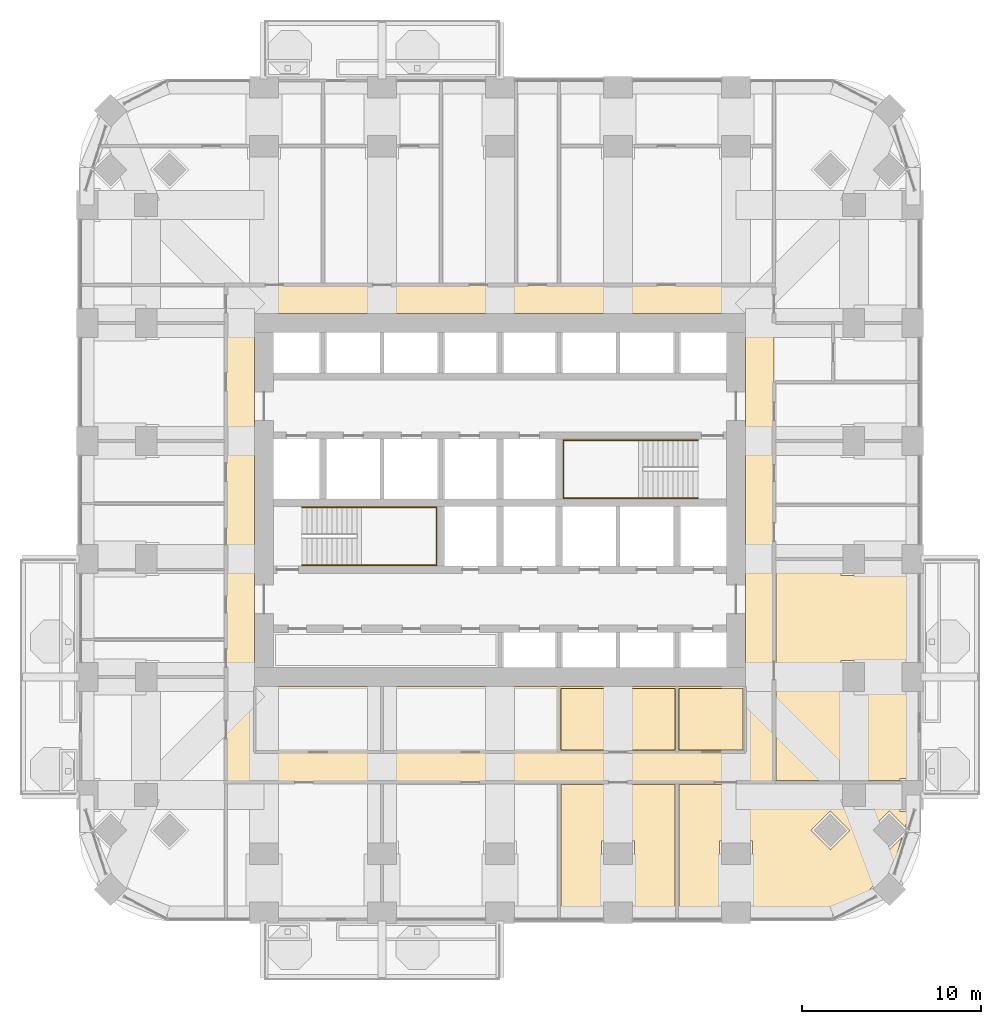
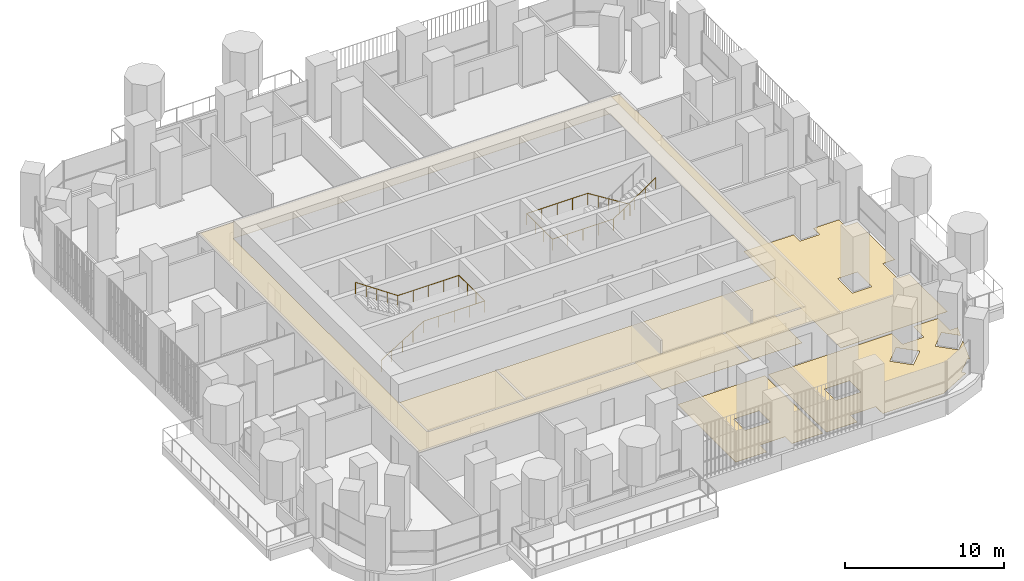
# One storey, part 18 of 21: 6 coverings, 2 railings.
"""IFC4 building model written with IfcOpenShell, lengths in metres."""

from ifc_helpers import new_model, si_unit, direction, frame, origin, place, context, subcontext, project, spatial, polyline, outline, extrude, material, layer, layer_set, type_object, element, save


model = new_model("IFC4")

# Units and contexts
model_context = context("Model", 3, precision=1e-05, world=origin(), true_north=direction((0.0, 1.0)))
body_context = subcontext(model_context, "Body", "Model", "MODEL_VIEW")
ifc_project = project(units=[si_unit("LENGTHUNIT", "METRE"), si_unit("AREAUNIT", "SQUARE_METRE"), si_unit("VOLUMEUNIT", "CUBIC_METRE"), si_unit("PLANEANGLEUNIT", "RADIAN"), si_unit("MASSUNIT", "GRAM", prefix="KILO")], contexts=[model_context])

# Site, building, storey
site_placement = place(None, origin())
site = spatial("IfcSite", under=ifc_project, at=site_placement, CompositionType="ELEMENT")
building_placement = place(site_placement, origin())
building = spatial("IfcBuilding", under=site, at=building_placement, Name="Cobogo Forest Laboratory Tower", CompositionType="ELEMENT")
storey_placement = place(building_placement, frame((0.0, 0.0, 141.0)))
storey = spatial("IfcBuildingStorey", under=building, at=storey_placement, Name="L32", CompositionType="ELEMENT", Elevation=141.0)

# Coverings
ifc_material_1 = material(Name="Mineral fibre ceiling tile", Category="ceiling")
ifc_layer_1 = layer(ifc_material_1, 0.02001953125)
ifc_layer_set_1 = layer_set([ifc_layer_1], Name="CL1 suspended ceiling")
covering_type_1 = type_object("IfcCoveringType", Name="CL1 suspended ceiling", PredefinedType="CEILING", material=ifc_layer_set_1)
covering_1_placement = place(storey_placement, frame((0.0, 0.0, 2.800048828125)))
element("IfcCovering", 1, at=covering_1_placement, inside=storey, type_object=covering_type_1, Name="Corridor ceiling L32", PredefinedType="CEILING", context=body_context, shape_type="SweptSolid", body=[
    extrude(outline(polyline([(11.074951171875, 7.300048828125), (11.074951171875, 35.125), (41.72509765625, 35.125), (41.72509765625, 7.300048828125), (11.074951171875, 7.300048828125)]), holes=[polyline([(40.125, 33.52490234375), (12.675048828125, 33.52490234375), (12.675048828125, 12.675048828125), (40.125, 12.675048828125), (40.125, 33.52490234375)])]), origin(), (0.0, 0.0, 1.0), 0.02001953125),
])
ifc_material_2 = material(Name="Carpet tile on raised access floor", Category="flooring")
ifc_layer_2 = layer(ifc_material_2, 0.008056640625)
ifc_layer_set_2 = layer_set([ifc_layer_2], Name="CT1 carpet tile floor 8")
covering_type_2 = type_object("IfcCoveringType", Name="CT1 carpet tile floor 8", PredefinedType="FLOORING", material=ifc_layer_set_2)
covering_2_placement = place(storey_placement, origin())
element("IfcCovering", 2, at=covering_2_placement, inside=storey, type_object=covering_type_2, Name="Carpet floor L32-09", PredefinedType="FLOORING", context=body_context, shape_type="SweptSolid", body=[
    extrude(outline(polyline([(41.844970703125, 19.679931640625), (45.47998046875, 19.679931640625), (45.47998046875, 18.8798828125), (46.919921875, 18.8798828125), (46.919921875, 19.679931640625), (48.780029296875, 19.679931640625), (48.780029296875, 18.8798828125), (49.64990234375, 18.8798828125), (49.64990234375, 14.1201171875), (48.780029296875, 14.1201171875), (48.780029296875, 12.280029296875), (49.64990234375, 12.280029296875), (49.64990234375, 7.52001953125), (48.780029296875, 7.52001953125), (48.780029296875, 7.419921875), (41.844970703125, 7.419921875), (41.844970703125, 19.679931640625)]), holes=[polyline([(45.47998046875, 12.280029296875), (46.919921875, 12.280029296875), (46.919921875, 14.1201171875), (45.47998046875, 14.1201171875), (45.47998046875, 12.280029296875)])]), origin(), (0.0, 0.0, 1.0), 0.008056640625),
])

# Railings
ifc_material_3 = material(Name="Stainless steel handrail", Category="steel")
railing_type = type_object("IfcRailingType", Name="HR handrail 900", PredefinedType="HANDRAIL", material=ifc_material_3)
railing_1_placement = place(storey_placement, frame((15.324951171875, 19.449951171875, 0.175048828125)))
element("IfcRailing", 3, at=railing_1_placement, inside=storey, type_object=railing_type, Name="Stair handrail ST1 L32", PredefinedType="HANDRAIL", context=body_context, shape_type="SweptSolid", body=[
    extrude(outline(polyline([(0.022216796875, 0.00927734375), (0.00927734375, 0.022216796875), (-0.00927734375, 0.022216796875), (-0.022216796875, 0.00927734375), (-0.022216796875, -0.00927734375), (-0.00927734375, -0.022216796875), (0.00927734375, -0.022216796875), (0.022216796875, -0.00927734375), (0.022216796875, 0.00927734375)])), frame((0.0, 0.0, 0.877685546875), z_axis=(0.847998304005, 0.0, 0.529998940003), x_axis=(0.0, 1.0, 0.0)), (0.0, 0.0, 1.0), 3.632080078125),
    extrude(outline(polyline([(0.022216796875, 0.00927734375), (0.00927734375, 0.022216796875), (-0.00927734375, 0.022216796875), (-0.022216796875, 0.00927734375), (-0.022216796875, -0.00927734375), (-0.00927734375, -0.022216796875), (0.00927734375, -0.022216796875), (0.022216796875, -0.00927734375), (0.022216796875, 0.00927734375)])), frame((3.080078125, 0.0, 2.802734375), z_axis=(1.0, 0.0, 0.0), x_axis=(0.0, 1.0, 0.0)), (0.0, 0.0, 1.0), 4.445068359375),
    extrude(outline(polyline([(0.022216796875, 0.00927734375), (0.00927734375, 0.022216796875), (-0.00927734375, 0.022216796875), (-0.022216796875, 0.00927734375), (-0.022216796875, -0.00927734375), (-0.00927734375, -0.022216796875), (0.00927734375, -0.022216796875), (0.022216796875, -0.00927734375), (0.022216796875, 0.00927734375)])), frame((7.525146484375, 0.0, 2.802734375), z_axis=(0.0, 1.0, 0.0), x_axis=(-1.0, 0.0, 0.0)), (0.0, 0.0, 1.0), 3.25),
    extrude(outline(polyline([(0.022216796875, 0.00927734375), (0.00927734375, 0.022216796875), (-0.00927734375, 0.022216796875), (-0.022216796875, 0.00927734375), (-0.022216796875, -0.00927734375), (-0.00927734375, -0.022216796875), (0.00927734375, -0.022216796875), (0.022216796875, -0.00927734375), (0.022216796875, 0.00927734375)])), frame((7.525146484375, 3.25, 2.802734375), z_axis=(-1.0, 0.0, 0.0), x_axis=(0.0, -1.0, 0.0)), (0.0, 0.0, 1.0), 4.445068359375),
    extrude(outline(polyline([(0.022216796875, 0.00927734375), (0.00927734375, 0.022216796875), (-0.00927734375, 0.022216796875), (-0.022216796875, 0.00927734375), (-0.022216796875, -0.00927734375), (-0.00927734375, -0.022216796875), (0.00927734375, -0.022216796875), (0.022216796875, -0.00927734375), (0.022216796875, 0.00927734375)])), frame((3.080078125, 3.25, 2.802734375), z_axis=(-0.826252282691, 0.0, 0.563300244406), x_axis=(0.0, -1.0, 0.0)), (0.0, 0.0, 1.0), 3.727783203125),
    extrude(outline(polyline([(0.019287109375, 0.008056640625), (0.008056640625, 0.019287109375), (-0.008056640625, 0.019287109375), (-0.019287109375, 0.008056640625), (-0.019287109375, -0.008056640625), (-0.008056640625, -0.019287109375), (0.008056640625, -0.019287109375), (0.019287109375, -0.008056640625), (0.019287109375, 0.008056640625)])), origin(), (0.0, 0.0, 1.0), 0.877685546875),
    extrude(outline(polyline([(0.019287109375, 0.008056640625), (0.008056640625, 0.019287109375), (-0.008056640625, 0.019287109375), (-0.019287109375, 0.008056640625), (-0.019287109375, -0.008056640625), (-0.008056640625, -0.019287109375), (0.008056640625, -0.019287109375), (0.019287109375, -0.008056640625), (0.019287109375, 0.008056640625)])), frame((0.77001953125, 0.0, 0.481201171875)), (0.0, 0.0, 1.0), 0.877685546875),
    extrude(outline(polyline([(0.019287109375, 0.008056640625), (0.008056640625, 0.019287109375), (-0.008056640625, 0.019287109375), (-0.019287109375, 0.008056640625), (-0.019287109375, -0.008056640625), (-0.008056640625, -0.019287109375), (0.008056640625, -0.019287109375), (0.019287109375, -0.008056640625), (0.019287109375, 0.008056640625)])), frame((1.5400390625, 0.0, 0.96240234375)), (0.0, 0.0, 1.0), 0.877685546875),
    extrude(outline(polyline([(0.019287109375, 0.008056640625), (0.008056640625, 0.019287109375), (-0.008056640625, 0.019287109375), (-0.019287109375, 0.008056640625), (-0.019287109375, -0.008056640625), (-0.008056640625, -0.019287109375), (0.008056640625, -0.019287109375), (0.019287109375, -0.008056640625), (0.019287109375, 0.008056640625)])), frame((2.31005859375, 0.0, 1.44384765625)), (0.0, 0.0, 1.0), 0.877685546875),
    extrude(outline(polyline([(0.019287109375, 0.008056640625), (0.008056640625, 0.019287109375), (-0.008056640625, 0.019287109375), (-0.019287109375, 0.008056640625), (-0.019287109375, -0.008056640625), (-0.008056640625, -0.019287109375), (0.008056640625, -0.019287109375), (0.019287109375, -0.008056640625), (0.019287109375, 0.008056640625)])), frame((3.080078125, 0.0, 1.925048828125)), (0.0, 0.0, 1.0), 0.877685546875),
    extrude(outline(polyline([(0.019287109375, 0.008056640625), (0.008056640625, 0.019287109375), (-0.008056640625, 0.019287109375), (-0.019287109375, 0.008056640625), (-0.019287109375, -0.008056640625), (-0.008056640625, -0.019287109375), (0.008056640625, -0.019287109375), (0.019287109375, -0.008056640625), (0.019287109375, 0.008056640625)])), frame((4.19140625, 0.0, 1.925048828125)), (0.0, 0.0, 1.0), 0.877685546875),
    extrude(outline(polyline([(0.019287109375, 0.008056640625), (0.008056640625, 0.019287109375), (-0.008056640625, 0.019287109375), (-0.019287109375, 0.008056640625), (-0.019287109375, -0.008056640625), (-0.008056640625, -0.019287109375), (0.008056640625, -0.019287109375), (0.019287109375, -0.008056640625), (0.019287109375, 0.008056640625)])), frame((5.302734375, 0.0, 1.925048828125)), (0.0, 0.0, 1.0), 0.877685546875),
    extrude(outline(polyline([(0.019287109375, 0.008056640625), (0.008056640625, 0.019287109375), (-0.008056640625, 0.019287109375), (-0.019287109375, 0.008056640625), (-0.019287109375, -0.008056640625), (-0.008056640625, -0.019287109375), (0.008056640625, -0.019287109375), (0.019287109375, -0.008056640625), (0.019287109375, 0.008056640625)])), frame((6.413818359375, 0.0, 1.925048828125)), (0.0, 0.0, 1.0), 0.877685546875),
    extrude(outline(polyline([(0.019287109375, 0.008056640625), (0.008056640625, 0.019287109375), (-0.008056640625, 0.019287109375), (-0.019287109375, 0.008056640625), (-0.019287109375, -0.008056640625), (-0.008056640625, -0.019287109375), (0.008056640625, -0.019287109375), (0.019287109375, -0.008056640625), (0.019287109375, 0.008056640625)])), frame((7.525146484375, 0.0, 1.925048828125)), (0.0, 0.0, 1.0), 0.877685546875),
    extrude(outline(polyline([(0.019287109375, 0.008056640625), (0.008056640625, 0.019287109375), (-0.008056640625, 0.019287109375), (-0.019287109375, 0.008056640625), (-0.019287109375, -0.008056640625), (-0.008056640625, -0.019287109375), (0.008056640625, -0.019287109375), (0.019287109375, -0.008056640625), (0.019287109375, 0.008056640625)])), frame((7.525146484375, 1.083251953125, 1.925048828125)), (0.0, 0.0, 1.0), 0.877685546875),
    extrude(outline(polyline([(0.019287109375, 0.008056640625), (0.008056640625, 0.019287109375), (-0.008056640625, 0.019287109375), (-0.019287109375, 0.008056640625), (-0.019287109375, -0.008056640625), (-0.008056640625, -0.019287109375), (0.008056640625, -0.019287109375), (0.019287109375, -0.008056640625), (0.019287109375, 0.008056640625)])), frame((7.525146484375, 2.166748046875, 1.925048828125)), (0.0, 0.0, 1.0), 0.877685546875),
    extrude(outline(polyline([(0.019287109375, 0.008056640625), (0.008056640625, 0.019287109375), (-0.008056640625, 0.019287109375), (-0.019287109375, 0.008056640625), (-0.019287109375, -0.008056640625), (-0.008056640625, -0.019287109375), (0.008056640625, -0.019287109375), (0.019287109375, -0.008056640625), (0.019287109375, 0.008056640625)])), frame((7.525146484375, 3.25, 1.925048828125)), (0.0, 0.0, 1.0), 0.877685546875),
    extrude(outline(polyline([(0.019287109375, 0.008056640625), (0.008056640625, 0.019287109375), (-0.008056640625, 0.019287109375), (-0.019287109375, 0.008056640625), (-0.019287109375, -0.008056640625), (-0.008056640625, -0.019287109375), (0.008056640625, -0.019287109375), (0.019287109375, -0.008056640625), (0.019287109375, 0.008056640625)])), frame((6.413818359375, 3.25, 1.925048828125)), (0.0, 0.0, 1.0), 0.877685546875),
    extrude(outline(polyline([(0.019287109375, 0.008056640625), (0.008056640625, 0.019287109375), (-0.008056640625, 0.019287109375), (-0.019287109375, 0.008056640625), (-0.019287109375, -0.008056640625), (-0.008056640625, -0.019287109375), (0.008056640625, -0.019287109375), (0.019287109375, -0.008056640625), (0.019287109375, 0.008056640625)])), frame((5.302734375, 3.25, 1.925048828125)), (0.0, 0.0, 1.0), 0.877685546875),
    extrude(outline(polyline([(0.019287109375, 0.008056640625), (0.008056640625, 0.019287109375), (-0.008056640625, 0.019287109375), (-0.019287109375, 0.008056640625), (-0.019287109375, -0.008056640625), (-0.008056640625, -0.019287109375), (0.008056640625, -0.019287109375), (0.019287109375, -0.008056640625), (0.019287109375, 0.008056640625)])), frame((4.19140625, 3.25, 1.925048828125)), (0.0, 0.0, 1.0), 0.877685546875),
    extrude(outline(polyline([(0.019287109375, 0.008056640625), (0.008056640625, 0.019287109375), (-0.008056640625, 0.019287109375), (-0.019287109375, 0.008056640625), (-0.019287109375, -0.008056640625), (-0.008056640625, -0.019287109375), (0.008056640625, -0.019287109375), (0.019287109375, -0.008056640625), (0.019287109375, 0.008056640625)])), frame((3.080078125, 3.25, 1.925048828125)), (0.0, 0.0, 1.0), 0.877685546875),
    extrude(outline(polyline([(0.019287109375, 0.008056640625), (0.008056640625, 0.019287109375), (-0.008056640625, 0.019287109375), (-0.019287109375, 0.008056640625), (-0.019287109375, -0.008056640625), (-0.008056640625, -0.019287109375), (0.008056640625, -0.019287109375), (0.019287109375, -0.008056640625), (0.019287109375, 0.008056640625)])), frame((2.31005859375, 3.25, 2.449951171875)), (0.0, 0.0, 1.0), 0.877685546875),
    extrude(outline(polyline([(0.019287109375, 0.008056640625), (0.008056640625, 0.019287109375), (-0.008056640625, 0.019287109375), (-0.019287109375, 0.008056640625), (-0.019287109375, -0.008056640625), (-0.008056640625, -0.019287109375), (0.008056640625, -0.019287109375), (0.019287109375, -0.008056640625), (0.019287109375, 0.008056640625)])), frame((1.5400390625, 3.25, 2.97509765625)), (0.0, 0.0, 1.0), 0.877685546875),
    extrude(outline(polyline([(0.019287109375, 0.008056640625), (0.008056640625, 0.019287109375), (-0.008056640625, 0.019287109375), (-0.019287109375, 0.008056640625), (-0.019287109375, -0.008056640625), (-0.008056640625, -0.019287109375), (0.008056640625, -0.019287109375), (0.019287109375, -0.008056640625), (0.019287109375, 0.008056640625)])), frame((0.77001953125, 3.25, 3.5)), (0.0, 0.0, 1.0), 0.877685546875),
    extrude(outline(polyline([(0.019287109375, 0.008056640625), (0.008056640625, 0.019287109375), (-0.008056640625, 0.019287109375), (-0.019287109375, 0.008056640625), (-0.019287109375, -0.008056640625), (-0.008056640625, -0.019287109375), (0.008056640625, -0.019287109375), (0.019287109375, -0.008056640625), (0.019287109375, 0.008056640625)])), frame((0.0, 3.25, 4.02490234375)), (0.0, 0.0, 1.0), 0.877685546875),
])
railing_2_placement = place(storey_placement, frame((37.47509765625, 26.449951171875, 0.175048828125)))
element("IfcRailing", 4, at=railing_2_placement, inside=storey, type_object=railing_type, Name="Stair handrail ST2 L32", PredefinedType="HANDRAIL", context=body_context, shape_type="SweptSolid", body=[
    extrude(outline(polyline([(0.022216796875, 0.00927734375), (0.00927734375, 0.022216796875), (-0.00927734375, 0.022216796875), (-0.022216796875, 0.00927734375), (-0.022216796875, -0.00927734375), (-0.00927734375, -0.022216796875), (0.00927734375, -0.022216796875), (0.022216796875, -0.00927734375), (0.022216796875, 0.00927734375)])), frame((0.0, 0.0, 0.877685546875), z_axis=(-0.847998304005, 0.0, 0.529998940003), x_axis=(0.0, -1.0, 0.0)), (0.0, 0.0, 1.0), 3.632080078125),
    extrude(outline(polyline([(0.022216796875, 0.00927734375), (0.00927734375, 0.022216796875), (-0.00927734375, 0.022216796875), (-0.022216796875, 0.00927734375), (-0.022216796875, -0.00927734375), (-0.00927734375, -0.022216796875), (0.00927734375, -0.022216796875), (0.022216796875, -0.00927734375), (0.022216796875, 0.00927734375)])), frame((-3.080078125, 0.0, 2.802734375), z_axis=(-1.0, 0.0, 0.0), x_axis=(0.0, -1.0, 0.0)), (0.0, 0.0, 1.0), 4.445068359375),
    extrude(outline(polyline([(0.022216796875, 0.00927734375), (0.00927734375, 0.022216796875), (-0.00927734375, 0.022216796875), (-0.022216796875, 0.00927734375), (-0.022216796875, -0.00927734375), (-0.00927734375, -0.022216796875), (0.00927734375, -0.022216796875), (0.022216796875, -0.00927734375), (0.022216796875, 0.00927734375)])), frame((-7.525146484375, 0.0, 2.802734375), z_axis=(0.0, -1.0, 0.0), x_axis=(1.0, 0.0, 0.0)), (0.0, 0.0, 1.0), 3.25),
    extrude(outline(polyline([(0.022216796875, 0.00927734375), (0.00927734375, 0.022216796875), (-0.00927734375, 0.022216796875), (-0.022216796875, 0.00927734375), (-0.022216796875, -0.00927734375), (-0.00927734375, -0.022216796875), (0.00927734375, -0.022216796875), (0.022216796875, -0.00927734375), (0.022216796875, 0.00927734375)])), frame((-7.525146484375, -3.25, 2.802734375), z_axis=(1.0, 0.0, 0.0), x_axis=(0.0, 1.0, 0.0)), (0.0, 0.0, 1.0), 4.445068359375),
    extrude(outline(polyline([(0.022216796875, 0.00927734375), (0.00927734375, 0.022216796875), (-0.00927734375, 0.022216796875), (-0.022216796875, 0.00927734375), (-0.022216796875, -0.00927734375), (-0.00927734375, -0.022216796875), (0.00927734375, -0.022216796875), (0.022216796875, -0.00927734375), (0.022216796875, 0.00927734375)])), frame((-3.080078125, -3.25, 2.802734375), z_axis=(0.826252282691, 0.0, 0.563300244406), x_axis=(0.0, 1.0, 0.0)), (0.0, 0.0, 1.0), 3.727783203125),
    extrude(outline(polyline([(0.019287109375, 0.008056640625), (0.008056640625, 0.019287109375), (-0.008056640625, 0.019287109375), (-0.019287109375, 0.008056640625), (-0.019287109375, -0.008056640625), (-0.008056640625, -0.019287109375), (0.008056640625, -0.019287109375), (0.019287109375, -0.008056640625), (0.019287109375, 0.008056640625)])), origin(), (0.0, 0.0, 1.0), 0.877685546875),
    extrude(outline(polyline([(0.019287109375, 0.008056640625), (0.008056640625, 0.019287109375), (-0.008056640625, 0.019287109375), (-0.019287109375, 0.008056640625), (-0.019287109375, -0.008056640625), (-0.008056640625, -0.019287109375), (0.008056640625, -0.019287109375), (0.019287109375, -0.008056640625), (0.019287109375, 0.008056640625)])), frame((-0.77001953125, 0.0, 0.481201171875)), (0.0, 0.0, 1.0), 0.877685546875),
    extrude(outline(polyline([(0.019287109375, 0.008056640625), (0.008056640625, 0.019287109375), (-0.008056640625, 0.019287109375), (-0.019287109375, 0.008056640625), (-0.019287109375, -0.008056640625), (-0.008056640625, -0.019287109375), (0.008056640625, -0.019287109375), (0.019287109375, -0.008056640625), (0.019287109375, 0.008056640625)])), frame((-1.5400390625, 0.0, 0.96240234375)), (0.0, 0.0, 1.0), 0.877685546875),
    extrude(outline(polyline([(0.019287109375, 0.008056640625), (0.008056640625, 0.019287109375), (-0.008056640625, 0.019287109375), (-0.019287109375, 0.008056640625), (-0.019287109375, -0.008056640625), (-0.008056640625, -0.019287109375), (0.008056640625, -0.019287109375), (0.019287109375, -0.008056640625), (0.019287109375, 0.008056640625)])), frame((-2.31005859375, 0.0, 1.44384765625)), (0.0, 0.0, 1.0), 0.877685546875),
    extrude(outline(polyline([(0.019287109375, 0.008056640625), (0.008056640625, 0.019287109375), (-0.008056640625, 0.019287109375), (-0.019287109375, 0.008056640625), (-0.019287109375, -0.008056640625), (-0.008056640625, -0.019287109375), (0.008056640625, -0.019287109375), (0.019287109375, -0.008056640625), (0.019287109375, 0.008056640625)])), frame((-3.080078125, 0.0, 1.925048828125)), (0.0, 0.0, 1.0), 0.877685546875),
    extrude(outline(polyline([(0.019287109375, 0.008056640625), (0.008056640625, 0.019287109375), (-0.008056640625, 0.019287109375), (-0.019287109375, 0.008056640625), (-0.019287109375, -0.008056640625), (-0.008056640625, -0.019287109375), (0.008056640625, -0.019287109375), (0.019287109375, -0.008056640625), (0.019287109375, 0.008056640625)])), frame((-4.19140625, 0.0, 1.925048828125)), (0.0, 0.0, 1.0), 0.877685546875),
    extrude(outline(polyline([(0.019287109375, 0.008056640625), (0.008056640625, 0.019287109375), (-0.008056640625, 0.019287109375), (-0.019287109375, 0.008056640625), (-0.019287109375, -0.008056640625), (-0.008056640625, -0.019287109375), (0.008056640625, -0.019287109375), (0.019287109375, -0.008056640625), (0.019287109375, 0.008056640625)])), frame((-5.302734375, 0.0, 1.925048828125)), (0.0, 0.0, 1.0), 0.877685546875),
    extrude(outline(polyline([(0.019287109375, 0.008056640625), (0.008056640625, 0.019287109375), (-0.008056640625, 0.019287109375), (-0.019287109375, 0.008056640625), (-0.019287109375, -0.008056640625), (-0.008056640625, -0.019287109375), (0.008056640625, -0.019287109375), (0.019287109375, -0.008056640625), (0.019287109375, 0.008056640625)])), frame((-6.413818359375, 0.0, 1.925048828125)), (0.0, 0.0, 1.0), 0.877685546875),
    extrude(outline(polyline([(0.019287109375, 0.008056640625), (0.008056640625, 0.019287109375), (-0.008056640625, 0.019287109375), (-0.019287109375, 0.008056640625), (-0.019287109375, -0.008056640625), (-0.008056640625, -0.019287109375), (0.008056640625, -0.019287109375), (0.019287109375, -0.008056640625), (0.019287109375, 0.008056640625)])), frame((-7.525146484375, 0.0, 1.925048828125)), (0.0, 0.0, 1.0), 0.877685546875),
    extrude(outline(polyline([(0.019287109375, 0.008056640625), (0.008056640625, 0.019287109375), (-0.008056640625, 0.019287109375), (-0.019287109375, 0.008056640625), (-0.019287109375, -0.008056640625), (-0.008056640625, -0.019287109375), (0.008056640625, -0.019287109375), (0.019287109375, -0.008056640625), (0.019287109375, 0.008056640625)])), frame((-7.525146484375, -1.083251953125, 1.925048828125)), (0.0, 0.0, 1.0), 0.877685546875),
    extrude(outline(polyline([(0.019287109375, 0.008056640625), (0.008056640625, 0.019287109375), (-0.008056640625, 0.019287109375), (-0.019287109375, 0.008056640625), (-0.019287109375, -0.008056640625), (-0.008056640625, -0.019287109375), (0.008056640625, -0.019287109375), (0.019287109375, -0.008056640625), (0.019287109375, 0.008056640625)])), frame((-7.525146484375, -2.166748046875, 1.925048828125)), (0.0, 0.0, 1.0), 0.877685546875),
    extrude(outline(polyline([(0.019287109375, 0.008056640625), (0.008056640625, 0.019287109375), (-0.008056640625, 0.019287109375), (-0.019287109375, 0.008056640625), (-0.019287109375, -0.008056640625), (-0.008056640625, -0.019287109375), (0.008056640625, -0.019287109375), (0.019287109375, -0.008056640625), (0.019287109375, 0.008056640625)])), frame((-7.525146484375, -3.25, 1.925048828125)), (0.0, 0.0, 1.0), 0.877685546875),
    extrude(outline(polyline([(0.019287109375, 0.008056640625), (0.008056640625, 0.019287109375), (-0.008056640625, 0.019287109375), (-0.019287109375, 0.008056640625), (-0.019287109375, -0.008056640625), (-0.008056640625, -0.019287109375), (0.008056640625, -0.019287109375), (0.019287109375, -0.008056640625), (0.019287109375, 0.008056640625)])), frame((-6.413818359375, -3.25, 1.925048828125)), (0.0, 0.0, 1.0), 0.877685546875),
    extrude(outline(polyline([(0.019287109375, 0.008056640625), (0.008056640625, 0.019287109375), (-0.008056640625, 0.019287109375), (-0.019287109375, 0.008056640625), (-0.019287109375, -0.008056640625), (-0.008056640625, -0.019287109375), (0.008056640625, -0.019287109375), (0.019287109375, -0.008056640625), (0.019287109375, 0.008056640625)])), frame((-5.302734375, -3.25, 1.925048828125)), (0.0, 0.0, 1.0), 0.877685546875),
    extrude(outline(polyline([(0.019287109375, 0.008056640625), (0.008056640625, 0.019287109375), (-0.008056640625, 0.019287109375), (-0.019287109375, 0.008056640625), (-0.019287109375, -0.008056640625), (-0.008056640625, -0.019287109375), (0.008056640625, -0.019287109375), (0.019287109375, -0.008056640625), (0.019287109375, 0.008056640625)])), frame((-4.19140625, -3.25, 1.925048828125)), (0.0, 0.0, 1.0), 0.877685546875),
    extrude(outline(polyline([(0.019287109375, 0.008056640625), (0.008056640625, 0.019287109375), (-0.008056640625, 0.019287109375), (-0.019287109375, 0.008056640625), (-0.019287109375, -0.008056640625), (-0.008056640625, -0.019287109375), (0.008056640625, -0.019287109375), (0.019287109375, -0.008056640625), (0.019287109375, 0.008056640625)])), frame((-3.080078125, -3.25, 1.925048828125)), (0.0, 0.0, 1.0), 0.877685546875),
    extrude(outline(polyline([(0.019287109375, 0.008056640625), (0.008056640625, 0.019287109375), (-0.008056640625, 0.019287109375), (-0.019287109375, 0.008056640625), (-0.019287109375, -0.008056640625), (-0.008056640625, -0.019287109375), (0.008056640625, -0.019287109375), (0.019287109375, -0.008056640625), (0.019287109375, 0.008056640625)])), frame((-2.31005859375, -3.25, 2.449951171875)), (0.0, 0.0, 1.0), 0.877685546875),
    extrude(outline(polyline([(0.019287109375, 0.008056640625), (0.008056640625, 0.019287109375), (-0.008056640625, 0.019287109375), (-0.019287109375, 0.008056640625), (-0.019287109375, -0.008056640625), (-0.008056640625, -0.019287109375), (0.008056640625, -0.019287109375), (0.019287109375, -0.008056640625), (0.019287109375, 0.008056640625)])), frame((-1.5400390625, -3.25, 2.97509765625)), (0.0, 0.0, 1.0), 0.877685546875),
    extrude(outline(polyline([(0.019287109375, 0.008056640625), (0.008056640625, 0.019287109375), (-0.008056640625, 0.019287109375), (-0.019287109375, 0.008056640625), (-0.019287109375, -0.008056640625), (-0.008056640625, -0.019287109375), (0.008056640625, -0.019287109375), (0.019287109375, -0.008056640625), (0.019287109375, 0.008056640625)])), frame((-0.77001953125, -3.25, 3.5)), (0.0, 0.0, 1.0), 0.877685546875),
    extrude(outline(polyline([(0.019287109375, 0.008056640625), (0.008056640625, 0.019287109375), (-0.008056640625, 0.019287109375), (-0.019287109375, 0.008056640625), (-0.019287109375, -0.008056640625), (-0.008056640625, -0.019287109375), (0.008056640625, -0.019287109375), (0.019287109375, -0.008056640625), (0.019287109375, 0.008056640625)])), frame((0.0, -3.25, 4.02490234375)), (0.0, 0.0, 1.0), 0.877685546875),
])

# Coverings
ifc_material_4 = material(Name="Epoxy resin flooring", Category="flooring")
ifc_layer_3 = layer(ifc_material_4, 0.00390625)
ifc_layer_set_3 = layer_set([ifc_layer_3], Name="LF1 epoxy laboratory floor 4")
covering_type_3 = type_object("IfcCoveringType", Name="LF1 epoxy laboratory floor 4", PredefinedType="FLOORING", material=ifc_layer_set_3)
covering_3_placement = place(storey_placement, origin())
element("IfcCovering", 5, at=covering_3_placement, inside=storey, type_object=covering_type_3, Name="Epoxy laboratory floor L32-03", PredefinedType="FLOORING", context=body_context, shape_type="SweptSolid", body=[
    extrude(outline(polyline([(36.179931640625, 9.1201171875), (29.820068359375, 9.1201171875), (29.820068359375, 12.554931640625), (36.179931640625, 12.554931640625), (36.179931640625, 9.1201171875)])), origin(), (0.0, 0.0, 1.0), 0.00390625),
])
covering_4_placement = place(storey_placement, origin())
element("IfcCovering", 6, at=covering_4_placement, inside=storey, type_object=covering_type_3, Name="Epoxy laboratory floor L32-08", PredefinedType="FLOORING", context=body_context, shape_type="SweptSolid", body=[
    extrude(outline(polyline([(45.429931640625, 5.830078125), (46.969970703125, 5.830078125), (46.969970703125, 7.179931640625), (48.780029296875, 7.179931640625), (48.780029296875, 5.679931640625), (49.349853515625, 5.679931640625), (49.075927734375, 4.81298828125), (48.181884765625, 5.70703125), (47.093017578125, 4.617919921875), (48.181884765625, 3.529052734375), (48.89599609375, 4.2431640625), (48.283935546875, 2.304931640625), (48.181884765625, 2.406982421875), (47.093017578125, 1.318115234375), (47.3193359375, 1.091552734375), (44.95068359375, -0.14990234375), (40.52001953125, -0.14990234375), (40.52001953125, 0.719970703125), (38.679931640625, 0.719970703125), (38.679931640625, -0.14990234375), (36.419921875, -0.14990234375), (36.419921875, 7.179931640625), (45.429931640625, 7.179931640625), (45.429931640625, 5.830078125)]), holes=[polyline([(43.79296875, 4.617919921875), (44.882080078125, 3.529052734375), (45.970947265625, 4.617919921875), (44.882080078125, 5.70703125), (43.79296875, 4.617919921875)]), polyline([(38.679931640625, 4.02001953125), (38.679931640625, 2.580078125), (40.52001953125, 2.580078125), (40.52001953125, 4.02001953125), (38.679931640625, 4.02001953125)])]), origin(), (0.0, 0.0, 1.0), 0.00390625),
])
ifc_material_5 = material(Name="Ceramic floor tile", Category="flooring")
ifc_layer_4 = layer(ifc_material_5, 0.010009765625)
ifc_layer_set_4 = layer_set([ifc_layer_4], Name="TF1 ceramic tile floor 10")
covering_type_4 = type_object("IfcCoveringType", Name="TF1 ceramic tile floor 10", PredefinedType="FLOORING", material=ifc_layer_set_4)
covering_5_placement = place(storey_placement, origin())
element("IfcCovering", 7, at=covering_5_placement, inside=storey, type_object=covering_type_4, Name="Tile floor L32-04", PredefinedType="FLOORING", context=body_context, shape_type="SweptSolid", body=[
    extrude(outline(polyline([(40.0048828125, 9.1201171875), (36.419921875, 9.1201171875), (36.419921875, 12.554931640625), (40.0048828125, 12.554931640625), (40.0048828125, 9.1201171875)])), origin(), (0.0, 0.0, 1.0), 0.010009765625),
])
covering_6_placement = place(storey_placement, origin())
element("IfcCovering", 8, at=covering_6_placement, inside=storey, type_object=covering_type_4, Name="Tile floor L32-07", PredefinedType="FLOORING", context=body_context, shape_type="SweptSolid", body=[
    extrude(outline(polyline([(36.179931640625, 7.179931640625), (36.179931640625, -0.14990234375), (33.919921875, -0.14990234375), (33.919921875, 0.719970703125), (32.080078125, 0.719970703125), (32.080078125, -0.14990234375), (29.820068359375, -0.14990234375), (29.820068359375, 7.179931640625), (36.179931640625, 7.179931640625)]), holes=[polyline([(32.080078125, 4.02001953125), (32.080078125, 2.580078125), (33.919921875, 2.580078125), (33.919921875, 4.02001953125), (32.080078125, 4.02001953125)])]), origin(), (0.0, 0.0, 1.0), 0.010009765625),
])

save(model, "model.ifc")
